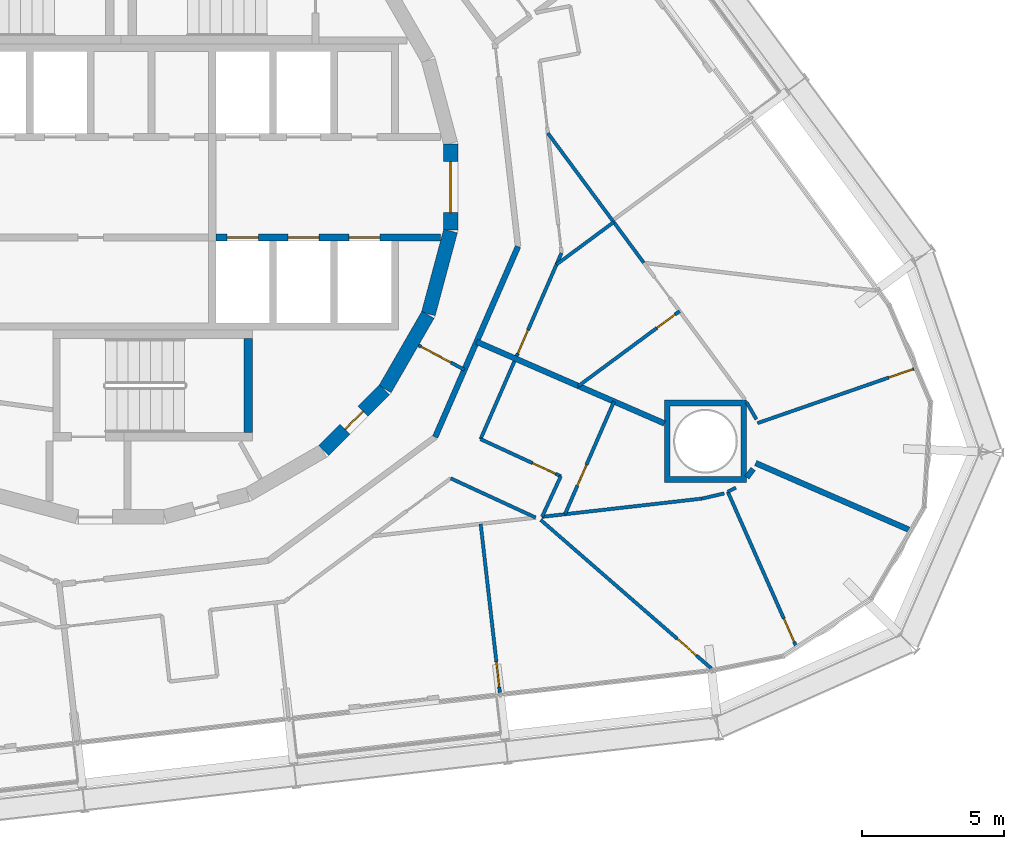
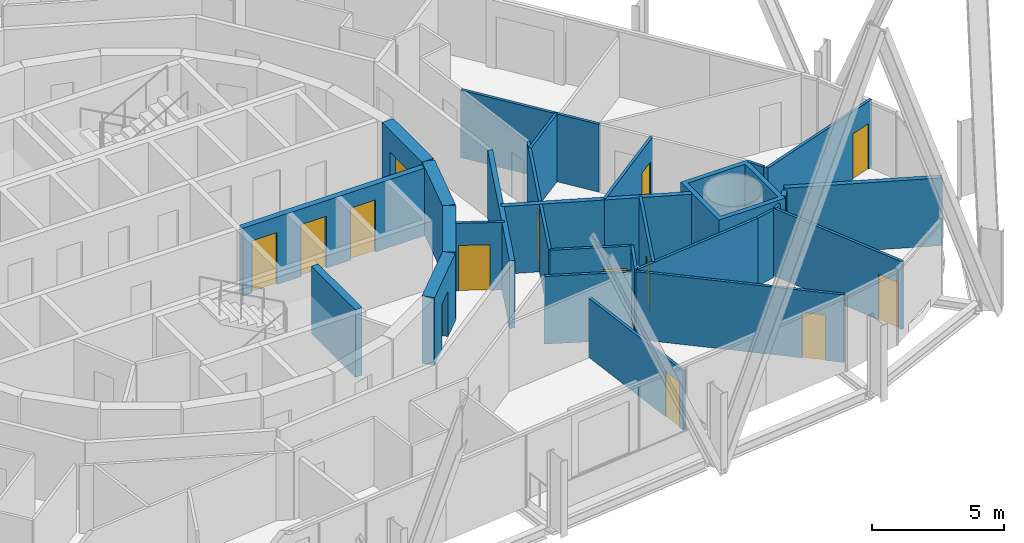
# One storey, part 19 of 23: 29 walls, 14 doors, 14 openings.
"""IFC4 building model written with IfcOpenShell, lengths in metres."""

from ifc_helpers import new_model, si_unit, direction, frame, frame_2d, origin, place, context, subcontext, project, spatial, polyline, rectangle, outline, extrude, material, layer, layer_set, type_object, element, fill, save


model = new_model("IFC4")

# Units and contexts
model_context = context("Model", 3, precision=1e-05, world=origin(), true_north=direction((0.0, 1.0)))
body_context = subcontext(model_context, "Body", "Model", "MODEL_VIEW")
ifc_project = project(units=[si_unit("LENGTHUNIT", "METRE"), si_unit("AREAUNIT", "SQUARE_METRE"), si_unit("VOLUMEUNIT", "CUBIC_METRE"), si_unit("PLANEANGLEUNIT", "RADIAN"), si_unit("MASSUNIT", "GRAM", prefix="KILO")], contexts=[model_context])

# Site, building, storey
site_placement = place(None, origin())
site = spatial("IfcSite", under=ifc_project, at=site_placement, CompositionType="ELEMENT")
building_placement = place(site_placement, origin())
building = spatial("IfcBuilding", under=site, at=building_placement, Name="Spindle Arch Residences", CompositionType="ELEMENT")
storey_placement = place(building_placement, frame((0.0, 0.0, 90.699951171875)))
storey = spatial("IfcBuildingStorey", under=building, at=storey_placement, Name="L21", CompositionType="ELEMENT", Elevation=90.699951171875)

# Wall, opening, door
ifc_material_1 = material(Name="Concrete C50/60", Category="concrete")
ifc_layer_1 = layer(ifc_material_1, 0.5)
ifc_layer_set_1 = layer_set([ifc_layer_1], Name="Core outline wall 500")
wall_type_1 = type_object("IfcWallType", Name="Core outline wall 500", PredefinedType="SHEAR", material=ifc_layer_set_1)
wall_1_placement = place(storey_placement, frame((7.163818359375, -9.30810546875, 0.0), z_axis=(0.0, 0.0, 1.0), x_axis=(0.707106781187, 0.707106781187, 0.0)))
wall_1 = element("IfcWall", 1, at=wall_1_placement, inside=storey, type_object=wall_type_1, Name="Core outline wall 3", PredefinedType="SHEAR", context=body_context, shape_type="SweptSolid", body=[
    extrude(rectangle(XDim=3.032470703125, YDim=0.5, at=frame_2d((1.51611328125, 0.0))), origin(), (0.0, 0.0, 1.0), 3.1201171875),
])
opening_1_placement = place(wall_1_placement, frame((1.06640625, 0.0, 0.0)))
opening_1 = element("IfcOpeningElement", 2, at=opening_1_placement, cuts=wall_1, Name="Opening R2B0-WD07", PredefinedType="OPENING", context=body_context, shape_type="SweptSolid", body=[
    extrude(rectangle(XDim=0.89990234375, YDim=2.10009765625, at=frame_2d((0.449951171875, 1.050048828125))), frame((0.0, 0.260009765625, 0.0), z_axis=(0.0, -1.0, 0.0), x_axis=(1.0, 0.0, 0.0)), (0.0, 0.0, 1.0), 0.52001953125),
])
ifc_material_2 = material(Name="Steel, fire-resisting door", Category="steel")
door_type_1 = type_object("IfcDoorType", Name="Service room door 900x2100", OperationType="SINGLE_SWING_LEFT", PredefinedType="DOOR", material=ifc_material_2)
door_1_placement = place(opening_1_placement, origin())
door_1 = element("IfcDoor", 3, at=door_1_placement, inside=storey, type_object=door_type_1, Name="Service room door R2B0-WD07", OperationType="SINGLE_SWING_RIGHT", OverallHeight=2.10009765625, OverallWidth=0.89990234375, PredefinedType="DOOR", context=body_context, shape_type="SweptSolid", body=[
    extrude(rectangle(XDim=0.89990234375, YDim=2.10009765625, at=frame_2d((0.449951171875, 1.050048828125))), frame((0.0, 0.02490234375, 0.0), z_axis=(0.0, -1.0, 0.0), x_axis=(1.0, 0.0, 0.0)), (0.0, 0.0, 1.0), 0.050048828125),
])
fill(opening_1, door_1)

# Walls
for number, where, z_axis, x_axis, name in (
    (4, (9.32861328125, -7.13671875, 0.0), (0.0, 0.0, 1.0), (0.500087131594, 0.865975092491, 0.0), "Core outline wall 4"),
    (5, (10.858154296875, -4.479248046875, 0.0), (0.0, 0.0, 1.0), (0.258734743916, 0.965948410781, 0.0), "Core outline wall 5"),
):
    element("IfcWall", number, at=place(storey_placement, frame(where, z_axis=z_axis, x_axis=x_axis)), inside=storey, type_object=wall_type_1, Name=name, PredefinedType="SHEAR", context=body_context, shape_type="SweptSolid", body=[
        extrude(rectangle(XDim=3.03271484375, YDim=0.5, at=frame_2d((1.516357421875, 0.0))), origin(), (0.0, 0.0, 1.0), 3.1201171875),
    ])

# Wall, opening, door
wall_2_placement = place(storey_placement, frame((11.647216796875, -1.516357421875, 0.0), z_axis=(0.0, 0.0, 1.0), x_axis=(0.0, 1.0, 0.0)))
wall_2 = element("IfcWall", 6, at=wall_2_placement, inside=storey, type_object=wall_type_1, Name="Core outline wall 6", PredefinedType="SHEAR", context=body_context, shape_type="SweptSolid", body=[
    extrude(rectangle(XDim=3.03271484375, YDim=0.5, at=frame_2d((1.516357421875, 0.0))), origin(), (0.0, 0.0, 1.0), 3.1201171875),
])
opening_2_placement = place(wall_2_placement, frame((0.6162109375, 0.0, 0.0)))
opening_2 = element("IfcOpeningElement", 7, at=opening_2_placement, cuts=wall_2, Name="Opening R2B0-FE01", PredefinedType="OPENING", context=body_context, shape_type="SweptSolid", body=[
    extrude(rectangle(XDim=1.800048828125, YDim=2.10009765625, at=frame_2d((0.89990234375, 1.050048828125))), frame((0.0, 0.260009765625, 0.0), z_axis=(0.0, -1.0, 0.0), x_axis=(1.0, 0.0, 0.0)), (0.0, 0.0, 1.0), 0.52001953125),
])
ifc_material_3 = material(Name="Steel, fire-resisting door", Category="steel")
door_type_2 = type_object("IfcDoorType", Name="Fire-lift lobby door 1800x2100", OperationType="DOUBLE_DOOR_SINGLE_SWING", PredefinedType="DOOR", material=ifc_material_3)
door_2_placement = place(opening_2_placement, origin())
door_2 = element("IfcDoor", 8, at=door_2_placement, inside=storey, type_object=door_type_2, Name="Fire-lift lobby door R2B0-FE01", OperationType="DOUBLE_DOOR_SINGLE_SWING", OverallHeight=2.10009765625, OverallWidth=1.800048828125, PredefinedType="DOOR", context=body_context, shape_type="SweptSolid", body=[
    extrude(rectangle(XDim=1.800048828125, YDim=2.10009765625, at=frame_2d((0.89990234375, 1.050048828125))), frame((0.0, 0.02490234375, 0.0), z_axis=(0.0, -1.0, 0.0), x_axis=(1.0, 0.0, 0.0)), (0.0, 0.0, 1.0), 0.050048828125),
])
fill(opening_2, door_2)

ifc_material_4 = material(Name="Plasterboard on steel studs", Category="steel")
ifc_layer_2 = layer(ifc_material_4, 0.1201171875)
ifc_layer_set_2 = layer_set([ifc_layer_2], Name="Corridor division wall 120")
wall_type_2 = type_object("IfcWallType", Name="Corridor division wall 120", PredefinedType="PARTITIONING", material=ifc_layer_set_2)
wall_3_placement = place(storey_placement, frame((10.510986328125, -5.5888671875, 0.0), z_axis=(0.0, 0.0, 1.0), x_axis=(0.882962602189, -0.469443333253, 0.0)))
wall_3 = element("IfcWall", 9, at=wall_3_placement, inside=storey, type_object=wall_type_2, Name="Corridor division wall R2B0-W002", PredefinedType="PARTITIONING", context=body_context, shape_type="SweptSolid", body=[
    extrude(rectangle(XDim=1.837890625, YDim=0.1201171875, at=frame_2d((0.9189453125, 0.0))), origin(), (0.0, 0.0, 1.0), 3.1201171875),
])
opening_3_placement = place(wall_3_placement, frame((0.10009765625, 0.0, 0.0)))
opening_3 = element("IfcOpeningElement", 10, at=opening_3_placement, cuts=wall_3, Name="Opening R2B0-CD02", PredefinedType="OPENING", context=body_context, shape_type="SweptSolid", body=[
    extrude(rectangle(XDim=1.199951171875, YDim=2.10009765625, at=frame_2d((0.60009765625, 1.050048828125))), frame((0.0, 0.070068359375, 0.0), z_axis=(0.0, -1.0, 0.0), x_axis=(1.0, 0.0, 0.0)), (0.0, 0.0, 1.0), 0.14013671875),
])
ifc_material_5 = material(Name="Steel, fire-resisting door", Category="steel")
door_type_3 = type_object("IfcDoorType", Name="Corridor division door 1200x2100", OperationType="NOTDEFINED", PredefinedType="DOOR", material=ifc_material_5)
door_3_placement = place(opening_3_placement, origin())
door_3 = element("IfcDoor", 11, at=door_3_placement, inside=storey, type_object=door_type_3, Name="Corridor division door R2B0-CD02", OperationType="DOUBLE_DOOR_SINGLE_SWING", OverallHeight=2.10009765625, OverallWidth=1.199951171875, PredefinedType="DOOR", context=body_context, shape_type="SweptSolid", body=[
    extrude(rectangle(XDim=1.199951171875, YDim=2.10009765625, at=frame_2d((0.60009765625, 1.050048828125))), frame((0.0, 0.02490234375, 0.0), z_axis=(0.0, -1.0, 0.0), x_axis=(1.0, 0.0, 0.0)), (0.0, 0.0, 1.0), 0.050048828125),
])
fill(opening_3, door_3)

# Wall
ifc_material_6 = material(Name="Calcium silicate block, plastered")
ifc_layer_3 = layer(ifc_material_6, 0.199951171875)
ifc_layer_set_3 = layer_set([ifc_layer_3], Name="Corridor wall 200")
wall_type_3 = type_object("IfcWallType", Name="Corridor wall 200", PredefinedType="STANDARD", material=ifc_layer_set_3)
wall_4_placement = place(storey_placement, frame((11.10009765625, -8.829345703125, 0.0), z_axis=(0.0, 0.0, 1.0), x_axis=(0.398741918631, 0.917063183388, 0.0)))
element("IfcWall", 12, at=wall_4_placement, inside=storey, type_object=wall_type_3, Name="Corridor wall R2B0-W007", PredefinedType="STANDARD", context=body_context, shape_type="SweptSolid", body=[
    extrude(rectangle(XDim=7.341796875, YDim=0.199951171875, at=frame_2d((3.6708984375, 0.0))), origin(), (0.0, 0.0, 1.0), 3.1201171875),
])

# Wall, openings, doors
ifc_material_7 = material(Name="Concrete C50/60", Category="concrete")
ifc_layer_4 = layer(ifc_material_7, 0.25)
ifc_layer_set_4 = layer_set([ifc_layer_4], Name="Fire-lift shaft wall 250")
wall_type_4 = type_object("IfcWallType", Name="Fire-lift shaft wall 250", PredefinedType="SHEAR", material=ifc_layer_set_4)
wall_5_placement = place(storey_placement, frame((3.35009765625, -1.77490234375, 0.0), z_axis=(0.0, 0.0, 1.0), x_axis=(1.0, 0.0, 0.0)))
wall_5 = element("IfcWall", 13, at=wall_5_placement, inside=storey, type_object=wall_type_4, Name="Lift shaft front wall SE", PredefinedType="SHEAR", context=body_context, shape_type="SweptSolid", body=[
    extrude(rectangle(XDim=7.929931640625, YDim=0.25, at=frame_2d((3.96484375, 0.0))), origin(), (0.0, 0.0, 1.0), 3.1201171875),
])
opening_4_placement = place(wall_5_placement, frame((0.39990234375, 0.0, 0.0)))
opening_4 = element("IfcOpeningElement", 14, at=opening_4_placement, cuts=wall_5, Name="Opening R2B0-FLD01", PredefinedType="OPENING", context=body_context, shape_type="SweptSolid", body=[
    extrude(rectangle(XDim=1.10009765625, YDim=2.39990234375, at=frame_2d((0.550048828125, 1.199951171875))), frame((0.0, 0.135009765625, 0.0), z_axis=(0.0, -1.0, 0.0), x_axis=(1.0, 0.0, 0.0)), (0.0, 0.0, 1.0), 0.27001953125),
])
opening_5_placement = place(wall_5_placement, frame((2.550048828125, 0.0, 0.0)))
opening_5 = element("IfcOpeningElement", 15, at=opening_5_placement, cuts=wall_5, Name="Opening R2B0-FLD02", PredefinedType="OPENING", context=body_context, shape_type="SweptSolid", body=[
    extrude(rectangle(XDim=1.10009765625, YDim=2.39990234375, at=frame_2d((0.550048828125, 1.199951171875))), frame((0.0, 0.135009765625, 0.0), z_axis=(0.0, -1.0, 0.0), x_axis=(1.0, 0.0, 0.0)), (0.0, 0.0, 1.0), 0.27001953125),
])
opening_6_placement = place(wall_5_placement, frame((4.699951171875, 0.0, 0.0)))
opening_6 = element("IfcOpeningElement", 16, at=opening_6_placement, cuts=wall_5, Name="Opening R2B0-FLD03", PredefinedType="OPENING", context=body_context, shape_type="SweptSolid", body=[
    extrude(rectangle(XDim=1.10009765625, YDim=2.39990234375, at=frame_2d((0.550048828125, 1.199951171875))), frame((0.0, 0.135009765625, 0.0), z_axis=(0.0, -1.0, 0.0), x_axis=(1.0, 0.0, 0.0)), (0.0, 0.0, 1.0), 0.27001953125),
])
ifc_material_8 = material(Name="Steel, fire-resisting landing door", Category="steel")
door_type_4 = type_object("IfcDoorType", Name="Fire-fighting lift landing door 1100x2400", OperationType="DOUBLE_DOOR_SLIDING", PredefinedType="DOOR", material=ifc_material_8)
door_4_placement = place(opening_4_placement, origin())
door_4 = element("IfcDoor", 17, at=door_4_placement, inside=storey, type_object=door_type_4, Name="Fire-fighting lift landing door R2B0-FLD01", OperationType="DOUBLE_DOOR_SLIDING", OverallHeight=2.39990234375, OverallWidth=1.10009765625, PredefinedType="DOOR", context=body_context, shape_type="SweptSolid", body=[
    extrude(rectangle(XDim=1.10009765625, YDim=2.39990234375, at=frame_2d((0.550048828125, 1.199951171875))), frame((0.0, 0.02490234375, 0.0), z_axis=(0.0, -1.0, 0.0), x_axis=(1.0, 0.0, 0.0)), (0.0, 0.0, 1.0), 0.050048828125),
])
fill(opening_4, door_4)
door_5_placement = place(opening_5_placement, origin())
door_5 = element("IfcDoor", 18, at=door_5_placement, inside=storey, type_object=door_type_4, Name="Fire-fighting lift landing door R2B0-FLD02", OperationType="DOUBLE_DOOR_SLIDING", OverallHeight=2.39990234375, OverallWidth=1.10009765625, PredefinedType="DOOR", context=body_context, shape_type="SweptSolid", body=[
    extrude(rectangle(XDim=1.10009765625, YDim=2.39990234375, at=frame_2d((0.550048828125, 1.199951171875))), frame((0.0, 0.02490234375, 0.0), z_axis=(0.0, -1.0, 0.0), x_axis=(1.0, 0.0, 0.0)), (0.0, 0.0, 1.0), 0.050048828125),
])
fill(opening_5, door_5)
door_6_placement = place(opening_6_placement, origin())
door_6 = element("IfcDoor", 19, at=door_6_placement, inside=storey, type_object=door_type_4, Name="Fire-fighting lift landing door R2B0-FLD03", OperationType="DOUBLE_DOOR_SLIDING", OverallHeight=2.39990234375, OverallWidth=1.10009765625, PredefinedType="DOOR", context=body_context, shape_type="SweptSolid", body=[
    extrude(rectangle(XDim=1.10009765625, YDim=2.39990234375, at=frame_2d((0.550048828125, 1.199951171875))), frame((0.0, 0.02490234375, 0.0), z_axis=(0.0, -1.0, 0.0), x_axis=(1.0, 0.0, 0.0)), (0.0, 0.0, 1.0), 0.050048828125),
])
fill(opening_6, door_6)

# Walls
ifc_material_9 = material(Name="Plasterboard on steel studs", Category="steel")
ifc_layer_5 = layer(ifc_material_9, 0.1201171875)
ifc_layer_set_5 = layer_set([ifc_layer_5], Name="Flat partition 120")
wall_type_5 = type_object("IfcWallType", Name="Flat partition 120", PredefinedType="PARTITIONING", material=ifc_layer_set_5)
wall_6_placement = place(storey_placement, frame((11.648681640625, -10.289306640625, 0.0), z_axis=(0.0, 0.0, 1.0), x_axis=(0.9079269461, -0.419128453514, 0.0)))
element("IfcWall", 20, at=wall_6_placement, inside=storey, type_object=wall_type_5, Name="Flat partition R2B0-W098", PredefinedType="PARTITIONING", context=body_context, shape_type="SweptSolid", body=[
    extrude(rectangle(XDim=3.304443359375, YDim=0.1201171875, at=frame_2d((1.65234375, 0.0))), origin(), (0.0, 0.0, 1.0), 3.1201171875),
])
wall_7_placement = place(storey_placement, frame((14.87548828125, -11.6484375, 0.0), z_axis=(0.0, 0.0, 1.0), x_axis=(0.419087543301, 0.90794583046, 0.0)))
element("IfcWall", 21, at=wall_7_placement, inside=storey, type_object=wall_type_5, Name="Flat partition R2B0-W099", PredefinedType="PARTITIONING", context=body_context, shape_type="SweptSolid", body=[
    extrude(rectangle(XDim=1.58154296875, YDim=0.1201171875, at=frame_2d((0.790771484375, 0.0))), origin(), (0.0, 0.0, 1.0), 3.1201171875),
])

# Wall, opening, door
wall_8_placement = place(storey_placement, frame((15.538330078125, -10.21240234375, 0.0), z_axis=(0.0, 0.0, 1.0), x_axis=(-0.907941075756, 0.419097844131, 0.0)))
wall_8 = element("IfcWall", 22, at=wall_8_placement, inside=storey, type_object=wall_type_5, Name="Flat partition R2B0-W100", PredefinedType="PARTITIONING", context=body_context, shape_type="SweptSolid", body=[
    extrude(rectangle(XDim=3.122314453125, YDim=0.1201171875, at=frame_2d((1.56103515625, 0.0))), origin(), (0.0, 0.0, 1.0), 3.1201171875),
])
opening_7_placement = place(wall_8_placement, frame((0.199951171875, 0.0, 0.0)))
opening_7 = element("IfcOpeningElement", 23, at=opening_7_placement, cuts=wall_8, Name="Opening R2B0-ID27", PredefinedType="OPENING", context=body_context, shape_type="SweptSolid", body=[
    extrude(rectangle(XDim=0.89990234375, YDim=2.10009765625, at=frame_2d((0.449951171875, 1.050048828125))), frame((0.0, 0.070068359375, 0.0), z_axis=(0.0, -1.0, 0.0), x_axis=(1.0, 0.0, 0.0)), (0.0, 0.0, 1.0), 0.14013671875),
])
ifc_material_10 = material(Name="Timber door set", Category="wood")
door_type_5 = type_object("IfcDoorType", Name="Room door 900x2100", OperationType="NOTDEFINED", PredefinedType="DOOR", material=ifc_material_10)
door_7_placement = place(opening_7_placement, origin())
door_7 = element("IfcDoor", 24, at=door_7_placement, inside=storey, type_object=door_type_5, Name="Room door R2B0-ID27", OperationType="SINGLE_SWING_LEFT", OverallHeight=2.10009765625, OverallWidth=0.89990234375, PredefinedType="DOOR", context=body_context, shape_type="SweptSolid", body=[
    extrude(rectangle(XDim=0.89990234375, YDim=2.10009765625, at=frame_2d((0.449951171875, 1.050048828125))), frame((0.0, 0.02490234375, 0.0), z_axis=(0.0, -1.0, 0.0), x_axis=(1.0, 0.0, 0.0)), (0.0, 0.0, 1.0), 0.050048828125),
])
fill(opening_7, door_7)

wall_9_placement = place(storey_placement, frame((12.703369140625, -8.90380859375, 0.0), z_axis=(0.0, 0.0, 1.0), x_axis=(0.398716154453, 0.917074385303, 0.0)))
wall_9 = element("IfcWall", 25, at=wall_9_placement, inside=storey, type_object=wall_type_5, Name="Flat partition R2B0-W101", PredefinedType="PARTITIONING", context=body_context, shape_type="SweptSolid", body=[
    extrude(rectangle(XDim=7.172607421875, YDim=0.1201171875, at=frame_2d((3.58642578125, 0.0))), origin(), (0.0, 0.0, 1.0), 3.1201171875),
])
opening_8_placement = place(wall_9_placement, frame((3.2998046875, 0.0, 0.0)))
opening_8 = element("IfcOpeningElement", 26, at=opening_8_placement, cuts=wall_9, Name="Opening R2B0-ID32", PredefinedType="OPENING", context=body_context, shape_type="SweptSolid", body=[
    extrude(rectangle(XDim=0.89990234375, YDim=2.10009765625, at=frame_2d((0.449951171875, 1.050048828125))), frame((0.0, 0.070068359375, 0.0), z_axis=(0.0, -1.0, 0.0), x_axis=(1.0, 0.0, 0.0)), (0.0, 0.0, 1.0), 0.14013671875),
])
door_8_placement = place(opening_8_placement, origin())
door_8 = element("IfcDoor", 27, at=door_8_placement, inside=storey, type_object=door_type_5, Name="Room door R2B0-ID32", OperationType="SINGLE_SWING_RIGHT", OverallHeight=2.10009765625, OverallWidth=0.89990234375, PredefinedType="DOOR", context=body_context, shape_type="SweptSolid", body=[
    extrude(rectangle(XDim=0.89990234375, YDim=2.10009765625, at=frame_2d((0.449951171875, 1.050048828125))), frame((0.0, 0.02490234375, 0.0), z_axis=(0.0, -1.0, 0.0), x_axis=(1.0, 0.0, 0.0)), (0.0, 0.0, 1.0), 0.050048828125),
])
fill(opening_8, door_8)

wall_10_placement = place(storey_placement, frame((20.856201171875, -17.005859375, 0.0), z_axis=(0.0, 0.0, 1.0), x_axis=(-0.75423134567, 0.656608770281, 0.0)))
wall_10 = element("IfcWall", 28, at=wall_10_placement, inside=storey, type_object=wall_type_5, Name="Flat partition R2B0-W105", PredefinedType="PARTITIONING", context=body_context, shape_type="SweptSolid", body=[
    extrude(rectangle(XDim=7.995361328125, YDim=0.1201171875, at=frame_2d((3.99755859375, 0.0))), origin(), (0.0, 0.0, 1.0), 3.1201171875),
])
opening_9_placement = place(wall_10_placement, frame((0.699951171875, 0.0, 0.0)))
opening_9 = element("IfcOpeningElement", 29, at=opening_9_placement, cuts=wall_10, Name="Opening R2B0-ID29", PredefinedType="OPENING", context=body_context, shape_type="SweptSolid", body=[
    extrude(rectangle(XDim=0.89990234375, YDim=2.10009765625, at=frame_2d((0.449951171875, 1.050048828125))), frame((0.0, 0.070068359375, 0.0), z_axis=(0.0, -1.0, 0.0), x_axis=(1.0, 0.0, 0.0)), (0.0, 0.0, 1.0), 0.14013671875),
])
door_9_placement = place(opening_9_placement, origin())
door_9 = element("IfcDoor", 30, at=door_9_placement, inside=storey, type_object=door_type_5, Name="Room door R2B0-ID29", OperationType="SINGLE_SWING_RIGHT", OverallHeight=2.10009765625, OverallWidth=0.89990234375, PredefinedType="DOOR", context=body_context, shape_type="SweptSolid", body=[
    extrude(rectangle(XDim=0.89990234375, YDim=2.10009765625, at=frame_2d((0.449951171875, 1.050048828125))), frame((0.0, 0.02490234375, 0.0), z_axis=(0.0, -1.0, 0.0), x_axis=(1.0, 0.0, 0.0)), (0.0, 0.0, 1.0), 0.050048828125),
])
fill(opening_9, door_9)

# Walls
wall_11_placement = place(storey_placement, frame((20.52685546875, -11.00439453125, 0.0), z_axis=(0.0, 0.0, 1.0), x_axis=(-0.993568869194, -0.113229422712, 0.0)))
element("IfcWall", 31, at=wall_11_placement, inside=storey, type_object=wall_type_5, Name="Flat partition R2B0-W106", PredefinedType="PARTITIONING", context=body_context, shape_type="SweptSolid", body=[
    extrude(rectangle(XDim=5.68798828125, YDim=0.1201171875, at=frame_2d((2.843994140625, 0.0))), origin(), (0.0, 0.0, 1.0), 3.1201171875),
])
wall_12_placement = place(storey_placement, frame((21.3125, -10.82080078125, 0.0), z_axis=(0.0, 0.0, 1.0), x_axis=(-0.973765266404, -0.227554841621, 0.0)))
element("IfcWall", 32, at=wall_12_placement, inside=storey, type_object=wall_type_5, Name="Flat partition R2B0-W107", PredefinedType="PARTITIONING", context=body_context, shape_type="SweptSolid", body=[
    extrude(rectangle(XDim=0.806884765625, YDim=0.1201171875, at=frame_2d((0.4033203125, 0.0))), origin(), (0.0, 0.0, 1.0), 3.1201171875),
])

# Wall, opening, door
wall_13_placement = place(storey_placement, frame((23.863525390625, -16.253173828125, 0.0), z_axis=(0.0, 0.0, 1.0), x_axis=(-0.404274566917, 0.914637673915, 0.0)))
wall_13 = element("IfcWall", 33, at=wall_13_placement, inside=storey, type_object=wall_type_5, Name="Flat partition R2B0-W108", PredefinedType="PARTITIONING", context=body_context, shape_type="SweptSolid", body=[
    extrude(rectangle(XDim=6.00634765625, YDim=0.1201171875, at=frame_2d((3.003173828125, 0.0))), origin(), (0.0, 0.0, 1.0), 3.1201171875),
])
opening_10_placement = place(wall_13_placement, frame((0.199951171875, 0.0, 0.0)))
opening_10 = element("IfcOpeningElement", 34, at=opening_10_placement, cuts=wall_13, Name="Opening R2B0-ID30", PredefinedType="OPENING", context=body_context, shape_type="SweptSolid", body=[
    extrude(rectangle(XDim=0.89990234375, YDim=2.10009765625, at=frame_2d((0.449951171875, 1.050048828125))), frame((0.0, 0.070068359375, 0.0), z_axis=(0.0, -1.0, 0.0), x_axis=(1.0, 0.0, 0.0)), (0.0, 0.0, 1.0), 0.14013671875),
])
door_10_placement = place(opening_10_placement, origin())
door_10 = element("IfcDoor", 35, at=door_10_placement, inside=storey, type_object=door_type_5, Name="Room door R2B0-ID30", OperationType="SINGLE_SWING_RIGHT", OverallHeight=2.10009765625, OverallWidth=0.89990234375, PredefinedType="DOOR", context=body_context, shape_type="SweptSolid", body=[
    extrude(rectangle(XDim=0.89990234375, YDim=2.10009765625, at=frame_2d((0.449951171875, 1.050048828125))), frame((0.0, 0.02490234375, 0.0), z_axis=(0.0, -1.0, 0.0), x_axis=(1.0, 0.0, 0.0)), (0.0, 0.0, 1.0), 0.050048828125),
])
fill(opening_10, door_10)

wall_14_placement = place(storey_placement, frame((15.685546875, -11.55615234375, 0.0), z_axis=(0.0, 0.0, 1.0), x_axis=(0.398724055903, 0.917070949951, 0.0)))
wall_14 = element("IfcWall", 36, at=wall_14_placement, inside=storey, type_object=wall_type_5, Name="Flat partition R2B0-W109", PredefinedType="PARTITIONING", context=body_context, shape_type="SweptSolid", body=[
    extrude(rectangle(XDim=4.343017578125, YDim=0.1201171875, at=frame_2d((2.17138671875, 0.0))), origin(), (0.0, 0.0, 1.0), 3.1201171875),
])
opening_11_placement = place(wall_14_placement, frame((1.10009765625, 0.0, 0.0)))
opening_11 = element("IfcOpeningElement", 37, at=opening_11_placement, cuts=wall_14, Name="Opening R2B0-BD06", PredefinedType="OPENING", context=body_context, shape_type="SweptSolid", body=[
    extrude(rectangle(XDim=0.800048828125, YDim=2.10009765625, at=frame_2d((0.39990234375, 1.050048828125))), frame((0.0, 0.070068359375, 0.0), z_axis=(0.0, -1.0, 0.0), x_axis=(1.0, 0.0, 0.0)), (0.0, 0.0, 1.0), 0.14013671875),
])
ifc_material_11 = material(Name="Timber door set", Category="wood")
door_type_6 = type_object("IfcDoorType", Name="Bathroom door 800x2100", OperationType="NOTDEFINED", PredefinedType="DOOR", material=ifc_material_11)
door_11_placement = place(opening_11_placement, origin())
door_11 = element("IfcDoor", 38, at=door_11_placement, inside=storey, type_object=door_type_6, Name="Bathroom door R2B0-BD06", OperationType="SINGLE_SWING_RIGHT", OverallHeight=2.10009765625, OverallWidth=0.800048828125, PredefinedType="DOOR", context=body_context, shape_type="SweptSolid", body=[
    extrude(rectangle(XDim=0.800048828125, YDim=2.10009765625, at=frame_2d((0.39990234375, 1.050048828125))), frame((0.0, 0.02490234375, 0.0), z_axis=(0.0, -1.0, 0.0), x_axis=(1.0, 0.0, 0.0)), (0.0, 0.0, 1.0), 0.050048828125),
])
fill(opening_11, door_11)

# Walls
wall_15_placement = place(storey_placement, frame((21.435302734375, -10.759521484375, 0.0), z_axis=(0.0, 0.0, 1.0), x_axis=(0.895041493646, 0.445982874841, 0.0)))
element("IfcWall", 39, at=wall_15_placement, inside=storey, type_object=wall_type_5, Name="Flat partition R2B0-W110", PredefinedType="PARTITIONING", context=body_context, shape_type="SweptSolid", body=[
    extrude(rectangle(XDim=0.3173828125, YDim=0.1201171875, at=frame_2d((0.15869140625, 0.0))), origin(), (0.0, 0.0, 1.0), 3.1201171875),
])
wall_16_placement = place(storey_placement, frame((15.0810546875, 1.9072265625, 0.0), z_axis=(0.0, 0.0, 1.0), x_axis=(0.594819754849, -0.803859104098, 0.0)))
element("IfcWall", 40, at=wall_16_placement, inside=storey, type_object=wall_type_5, Name="Flat partition R2B0-W116", PredefinedType="PARTITIONING", context=body_context, shape_type="SweptSolid", body=[
    extrude(rectangle(XDim=5.699462890625, YDim=0.1201171875, at=frame_2d((2.849609375, 0.0))), origin(), (0.0, 0.0, 1.0), 3.1201171875),
])

# Wall, opening, door
wall_17_placement = place(storey_placement, frame((28.161865234375, -6.367919921875, 0.0), z_axis=(0.0, 0.0, 1.0), x_axis=(-0.944645847702, -0.328091789624, 0.0)))
wall_17 = element("IfcWall", 41, at=wall_17_placement, inside=storey, type_object=wall_type_5, Name="Flat partition R2B0-W117", PredefinedType="PARTITIONING", context=body_context, shape_type="SweptSolid", body=[
    extrude(rectangle(XDim=6.006591796875, YDim=0.1201171875, at=frame_2d((3.00341796875, 0.0))), origin(), (0.0, 0.0, 1.0), 3.1201171875),
])
opening_12_placement = place(wall_17_placement, frame((0.199951171875, 0.0, 0.0)))
opening_12 = element("IfcOpeningElement", 42, at=opening_12_placement, cuts=wall_17, Name="Opening R2B0-ID34", PredefinedType="OPENING", context=body_context, shape_type="SweptSolid", body=[
    extrude(rectangle(XDim=0.89990234375, YDim=2.10009765625, at=frame_2d((0.449951171875, 1.050048828125))), frame((0.0, 0.070068359375, 0.0), z_axis=(0.0, -1.0, 0.0), x_axis=(1.0, 0.0, 0.0)), (0.0, 0.0, 1.0), 0.14013671875),
])
door_12_placement = place(opening_12_placement, origin())
door_12 = element("IfcDoor", 43, at=door_12_placement, inside=storey, type_object=door_type_5, Name="Room door R2B0-ID34", OperationType="SINGLE_SWING_LEFT", OverallHeight=2.10009765625, OverallWidth=0.89990234375, PredefinedType="DOOR", context=body_context, shape_type="SweptSolid", body=[
    extrude(rectangle(XDim=0.89990234375, YDim=2.10009765625, at=frame_2d((0.449951171875, 1.050048828125))), frame((0.0, 0.02490234375, 0.0), z_axis=(0.0, -1.0, 0.0), x_axis=(1.0, 0.0, 0.0)), (0.0, 0.0, 1.0), 0.050048828125),
])
fill(opening_12, door_12)

# Wall
wall_18_placement = place(storey_placement, frame((22.44873046875, -8.20703125, 0.0), z_axis=(0.0, 0.0, 1.0), x_axis=(-0.497404938529, 0.867518488061, 0.0)))
element("IfcWall", 44, at=wall_18_placement, inside=storey, type_object=wall_type_5, Name="Flat partition R2B0-W118", PredefinedType="PARTITIONING", context=body_context, shape_type="SweptSolid", body=[
    extrude(rectangle(XDim=0.705810546875, YDim=0.1201171875, at=frame_2d((0.35302734375, 0.0))), origin(), (0.0, 0.0, 1.0), 3.1201171875),
])

# Wall, opening, door
wall_19_placement = place(storey_placement, frame((19.734619140625, -4.381591796875, 0.0), z_axis=(0.0, 0.0, 1.0), x_axis=(-0.803850825108, -0.594830943188, 0.0)))
wall_19 = element("IfcWall", 45, at=wall_19_placement, inside=storey, type_object=wall_type_5, Name="Flat partition R2B0-W119", PredefinedType="PARTITIONING", context=body_context, shape_type="SweptSolid", body=[
    extrude(rectangle(XDim=4.44677734375, YDim=0.1201171875, at=frame_2d((2.223388671875, 0.0))), origin(), (0.0, 0.0, 1.0), 3.1201171875),
])
opening_13_placement = place(wall_19_placement, frame((0.199951171875, 0.0, 0.0)))
opening_13 = element("IfcOpeningElement", 46, at=opening_13_placement, cuts=wall_19, Name="Opening R2B0-BD08", PredefinedType="OPENING", context=body_context, shape_type="SweptSolid", body=[
    extrude(rectangle(XDim=0.800048828125, YDim=2.10009765625, at=frame_2d((0.39990234375, 1.050048828125))), frame((0.0, 0.070068359375, 0.0), z_axis=(0.0, -1.0, 0.0), x_axis=(1.0, 0.0, 0.0)), (0.0, 0.0, 1.0), 0.14013671875),
])
door_13_placement = place(opening_13_placement, origin())
door_13 = element("IfcDoor", 47, at=door_13_placement, inside=storey, type_object=door_type_6, Name="Bathroom door R2B0-BD08", OperationType="SINGLE_SWING_LEFT", OverallHeight=2.10009765625, OverallWidth=0.800048828125, PredefinedType="DOOR", context=body_context, shape_type="SweptSolid", body=[
    extrude(rectangle(XDim=0.800048828125, YDim=2.10009765625, at=frame_2d((0.39990234375, 1.050048828125))), frame((0.0, 0.02490234375, 0.0), z_axis=(0.0, -1.0, 0.0), x_axis=(1.0, 0.0, 0.0)), (0.0, 0.0, 1.0), 0.050048828125),
])
fill(opening_13, door_13)

# Wall
wall_20_placement = place(storey_placement, frame((17.40771484375, -1.2373046875, 0.0), z_axis=(0.0, 0.0, 1.0), x_axis=(-0.803863255433, -0.594814144556, 0.0)))
element("IfcWall", 48, at=wall_20_placement, inside=storey, type_object=wall_type_5, Name="Flat partition R2B0-W121", PredefinedType="PARTITIONING", context=body_context, shape_type="SweptSolid", body=[
    extrude(rectangle(XDim=2.514404296875, YDim=0.1201171875, at=frame_2d((1.25732421875, 0.0))), origin(), (0.0, 0.0, 1.0), 3.1201171875),
])

# Wall, opening, door
ifc_material_12 = material(Name="Plasterboard on steel studs", Category="steel")
ifc_layer_6 = layer(ifc_material_12, 0.1201171875)
ifc_layer_set_6 = layer_set([ifc_layer_6], Name="Flat partition 120 under beam 2730")
wall_type_6 = type_object("IfcWallType", Name="Flat partition 120 under beam 2730", PredefinedType="PARTITIONING", material=ifc_layer_set_6)
wall_21_placement = place(storey_placement, frame((13.3857421875, -17.85693359375, 0.0), z_axis=(0.0, 0.0, 1.0), x_axis=(-0.113200012983, 0.993572220355, 0.0)))
wall_21 = element("IfcWall", 49, at=wall_21_placement, inside=storey, type_object=wall_type_6, Name="Flat partition R2B0-W104", PredefinedType="PARTITIONING", context=body_context, shape_type="SweptSolid", body=[
    extrude(rectangle(XDim=6.0, YDim=0.1201171875, at=frame_2d((3.0, 0.0))), origin(), (0.0, 0.0, 1.0), 2.72998046875),
])
opening_14_placement = place(wall_21_placement, frame((0.199951171875, 0.0, 0.0)))
opening_14 = element("IfcOpeningElement", 50, at=opening_14_placement, cuts=wall_21, Name="Opening R2B0-ID28", PredefinedType="OPENING", context=body_context, shape_type="SweptSolid", body=[
    extrude(rectangle(XDim=0.89990234375, YDim=2.10009765625, at=frame_2d((0.449951171875, 1.050048828125))), frame((0.0, 0.070068359375, 0.0), z_axis=(0.0, -1.0, 0.0), x_axis=(1.0, 0.0, 0.0)), (0.0, 0.0, 1.0), 0.14013671875),
])
door_14_placement = place(opening_14_placement, origin())
door_14 = element("IfcDoor", 51, at=door_14_placement, inside=storey, type_object=door_type_5, Name="Room door R2B0-ID28", OperationType="SINGLE_SWING_RIGHT", OverallHeight=2.10009765625, OverallWidth=0.89990234375, PredefinedType="DOOR", context=body_context, shape_type="SweptSolid", body=[
    extrude(rectangle(XDim=0.89990234375, YDim=2.10009765625, at=frame_2d((0.449951171875, 1.050048828125))), frame((0.0, 0.02490234375, 0.0), z_axis=(0.0, -1.0, 0.0), x_axis=(1.0, 0.0, 0.0)), (0.0, 0.0, 1.0), 0.050048828125),
])
fill(opening_14, door_14)

# Walls
ifc_material_13 = material(Name="Calcium silicate block, plastered")
ifc_layer_7 = layer(ifc_material_13, 0.199951171875)
ifc_layer_set_7 = layer_set([ifc_layer_7], Name="Flat party wall 200")
wall_type_7 = type_object("IfcWallType", Name="Flat party wall 200", PredefinedType="STANDARD", material=ifc_layer_set_7)
wall_22_placement = place(storey_placement, frame((16.16015625, -7.026611328125, 0.0), z_axis=(0.0, 0.0, 1.0), x_axis=(-0.917065107526, 0.398737493293, 0.0)))
element("IfcWall", 52, at=wall_22_placement, inside=storey, type_object=wall_type_7, Name="Flat party wall R2B0-W024", PredefinedType="STANDARD", context=body_context, shape_type="SweptSolid", body=[
    extrude(rectangle(XDim=3.921630859375, YDim=0.199951171875, at=frame_2d((1.9609375, 0.0))), origin(), (0.0, 0.0, 1.0), 3.1201171875),
])
wall_23_placement = place(storey_placement, frame((19.197509765625, -8.347412109375, 0.0), z_axis=(0.0, 0.0, 1.0), x_axis=(-0.917046616943, 0.398780017495, 0.0)))
element("IfcWall", 53, at=wall_23_placement, inside=storey, type_object=wall_type_7, Name="Flat party wall R2B0-W025", PredefinedType="STANDARD", context=body_context, shape_type="SweptSolid", body=[
    extrude(rectangle(XDim=3.31201171875, YDim=0.199951171875, at=frame_2d((1.656005859375, 0.0))), origin(), (0.0, 0.0, 1.0), 3.1201171875),
])
wall_24_placement = place(storey_placement, frame((27.9345703125, -12.146240234375, 0.0), z_axis=(0.0, 0.0, 1.0), x_axis=(-0.917058430913, 0.398752848631, 0.0)))
element("IfcWall", 54, at=wall_24_placement, inside=storey, type_object=wall_type_7, Name="Flat party wall R2B0-W026", PredefinedType="STANDARD", context=body_context, shape_type="SweptSolid", body=[
    extrude(rectangle(XDim=6.010009765625, YDim=0.199951171875, at=frame_2d((3.0048828125, 0.0))), origin(), (0.0, 0.0, 1.0), 3.1201171875),
])
wall_25_placement = place(storey_placement, frame((22.332763671875, -9.957275390625, 0.0), z_axis=(0.0, 0.0, 1.0), x_axis=(-0.599479717237, -0.800389947851, 0.0)))
element("IfcWall", 55, at=wall_25_placement, inside=storey, type_object=wall_type_7, Name="Flat party wall R2B0-W027", PredefinedType="STANDARD", context=body_context, shape_type="SweptSolid", body=[
    extrude(rectangle(XDim=0.37548828125, YDim=0.199951171875, at=frame_2d((0.187744140625, 0.0))), origin(), (0.0, 0.0, 1.0), 3.1201171875),
])
ifc_material_14 = material(Name="Calcium silicate block, plastered")
ifc_layer_8 = layer(ifc_material_14, 0.199951171875)
ifc_layer_set_8 = layer_set([ifc_layer_8], Name="Mega-column casing wall 200")
wall_type_8 = type_object("IfcWallType", Name="Mega-column casing wall 200", PredefinedType="STANDARD", material=ifc_layer_set_8)
wall_26_placement = place(storey_placement, origin())
element("IfcWall", 56, at=wall_26_placement, inside=storey, type_object=wall_type_8, Name="Mega-column casing wall R2B0-WC03", PredefinedType="STANDARD", context=body_context, shape_type="SweptSolid", body=[
    extrude(outline(polyline([(22.09765625, -7.52783203125), (22.09765625, -10.427734375), (19.197509765625, -10.427734375), (19.197509765625, -7.52783203125), (22.09765625, -7.52783203125)]), holes=[polyline([(19.397705078125, -10.227783203125), (21.897705078125, -10.227783203125), (21.897705078125, -7.727783203125), (19.397705078125, -7.727783203125), (19.397705078125, -10.227783203125)])]), origin(), (0.0, 0.0, 1.0), 3.1201171875),
])
ifc_material_15 = material(Name="Concrete C50/60", Category="concrete")
ifc_layer_9 = layer(ifc_material_15, 0.300048828125)
ifc_layer_set_9 = layer_set([ifc_layer_9], Name="Stair enclosure wall 300")
wall_type_9 = type_object("IfcWallType", Name="Stair enclosure wall 300", PredefinedType="SHEAR", material=ifc_layer_set_9)
wall_27_placement = place(storey_placement, frame((4.5, -8.669921875, 0.0), z_axis=(0.0, 0.0, 1.0), x_axis=(0.0, 1.0, 0.0)))
element("IfcWall", 57, at=wall_27_placement, inside=storey, type_object=wall_type_9, Name="Stair ST-3 enclosure wall E", PredefinedType="SHEAR", context=body_context, shape_type="SweptSolid", body=[
    extrude(rectangle(XDim=3.31982421875, YDim=0.300048828125, at=frame_2d((1.659912109375, 0.0))), origin(), (0.0, 0.0, 1.0), 3.1201171875),
])

save(model, "model.ifc")
